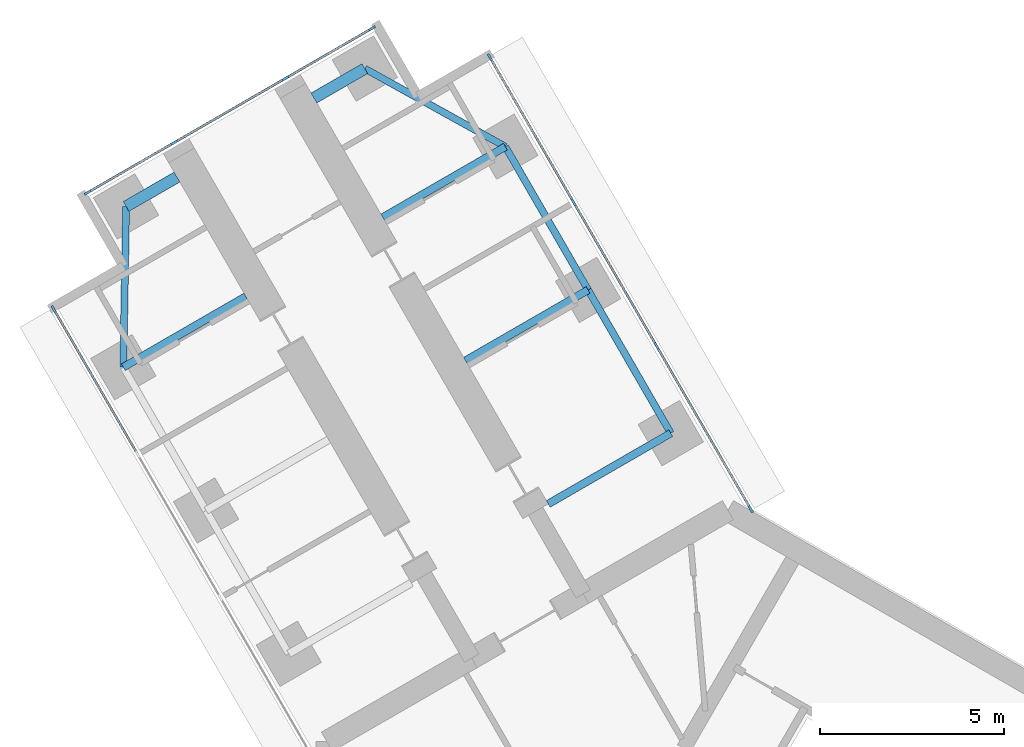
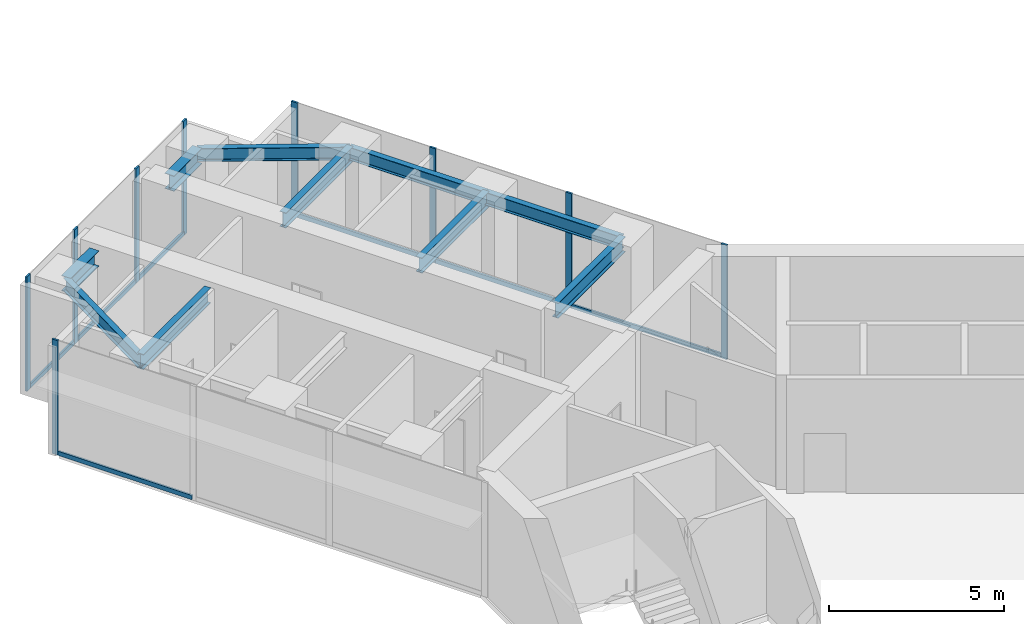
# One storey, part 6 of 22: 16 members, 10 beams, 3 elements without a shape of their own.
"""IFC4 building model written with IfcOpenShell, lengths in metres."""

from ifc_helpers import new_model, si_unit, direction, frame, origin, origin_2d, place, context, subcontext, project, spatial, rectangle, i_section, extrude, material, material_profile, profile_set, type_object, element, aggregate, save


model = new_model("IFC4")

# Units and contexts
model_context = context("Model", 3, precision=1e-05, world=origin(), true_north=direction((0.0, 1.0)))
body_context = subcontext(model_context, "Body", "Model", "MODEL_VIEW")
ifc_project = project(units=[si_unit("LENGTHUNIT", "METRE"), si_unit("AREAUNIT", "SQUARE_METRE"), si_unit("VOLUMEUNIT", "CUBIC_METRE"), si_unit("PLANEANGLEUNIT", "RADIAN"), si_unit("MASSUNIT", "GRAM", prefix="KILO")], contexts=[model_context])

# Site, building, storey
site_placement = place(None, origin())
site = spatial("IfcSite", under=ifc_project, at=site_placement, CompositionType="ELEMENT")
building_placement = place(site_placement, origin())
building = spatial("IfcBuilding", under=site, at=building_placement, Name="Upepo Twin Towers", CompositionType="ELEMENT")
storey_placement = place(building_placement, frame((0.0, 0.0, 137.5)))
storey = spatial("IfcBuildingStorey", under=building, at=storey_placement, Name="L33", CompositionType="ELEMENT", Elevation=137.5)

# Beams
ifc_material_1 = material(Name="Steel S355", Category="steel")
ifc_material_profile_1 = material_profile(ifc_material_1, i_section(OverallWidth=0.1904296875, OverallDepth=0.45703125, WebThickness=0.009033203125, FlangeThickness=0.014404296875, FilletRadius=0.01025390625, at=origin_2d()), Name="UB 457x191x74")
ifc_profile_set_1 = profile_set([ifc_material_profile_1], Name="Steel S355")
beam_type_1 = type_object("IfcBeamType", Name="Beam UB 457x191x74", PredefinedType="BEAM", material=ifc_profile_set_1)
beam_1_placement = place(storey_placement, frame((-16.446044921875, 16.485595703125, 3.571533203125), z_axis=(0.016803880528, 0.999858804832, 0.0), x_axis=(-0.999858804832, 0.016803880528, 0.0)))
element("IfcBeam", 1, at=beam_1_placement, inside=storey, type_object=beam_type_1, Name="T1 nose edge beam BL", PredefinedType="BEAM", context=body_context, shape_type="SweptSolid", body=[
    extrude(i_section(OverallWidth=0.1904296875, OverallDepth=0.45703125, WebThickness=0.009033203125, FlangeThickness=0.014404296875, FilletRadius=0.01025390625, at=origin_2d()), origin(), (0.0, 0.0, 1.0), 4.373291015625),
])
beam_2_placement = place(storey_placement, frame((-1.553955078125, 14.69140625, 3.571533203125), z_axis=(-0.500013631625, 0.866017533419, 0.0), x_axis=(-0.866017533419, -0.500013631625, 0.0)))
element("IfcBeam", 2, at=beam_2_placement, inside=storey, type_object=beam_type_1, Name="T1 edge beam BR 13.5-18.0", PredefinedType="BEAM", context=body_context, shape_type="SweptSolid", body=[
    extrude(i_section(OverallWidth=0.1904296875, OverallDepth=0.45703125, WebThickness=0.009033203125, FlangeThickness=0.014404296875, FilletRadius=0.01025390625, at=origin_2d()), origin(), (0.0, 0.0, 1.0), 4.499755859375),
])
beam_3_placement = place(storey_placement, frame((-3.803955078125, 18.58837890625, 3.571533203125), z_axis=(-0.499990139034, 0.866031096941, 0.0), x_axis=(-0.866031096941, -0.499990139034, 0.0)))
element("IfcBeam", 3, at=beam_3_placement, inside=storey, type_object=beam_type_1, Name="T1 edge beam BR 18.0-22.5", PredefinedType="BEAM", context=body_context, shape_type="SweptSolid", body=[
    extrude(i_section(OverallWidth=0.1904296875, OverallDepth=0.45703125, WebThickness=0.009033203125, FlangeThickness=0.014404296875, FilletRadius=0.01025390625, at=origin_2d()), origin(), (0.0, 0.0, 1.0), 4.5),
])
beam_4_placement = place(storey_placement, frame((-6.053955078125, 22.485595703125, 3.571533203125), z_axis=(-0.874312600038, 0.485363242752, 0.0), x_axis=(-0.485363242752, -0.874312600038, 0.0)))
element("IfcBeam", 4, at=beam_4_placement, inside=storey, type_object=beam_type_1, Name="T1 nose edge beam BR", PredefinedType="BEAM", context=body_context, shape_type="SweptSolid", body=[
    extrude(i_section(OverallWidth=0.1904296875, OverallDepth=0.45703125, WebThickness=0.009033203125, FlangeThickness=0.014404296875, FilletRadius=0.01025390625, at=origin_2d()), origin(), (0.0, 0.0, 1.0), 4.373046875),
])
ifc_material_2 = material(Name="Steel S355", Category="steel")
ifc_material_profile_2 = material_profile(ifc_material_2, i_section(OverallWidth=0.209228515625, OverallDepth=0.533203125, WebThickness=0.010009765625, FlangeThickness=0.015625, FilletRadius=0.0126953125, at=origin_2d()), Name="UB 533x210x92")
ifc_profile_set_2 = profile_set([ifc_material_profile_2], Name="Steel S355")
beam_type_2 = type_object("IfcBeamType", Name="Beam UB 533x210x92", PredefinedType="BEAM", material=ifc_profile_set_2)
for number, where, z_axis, x_axis, name in (
    (5, (-16.446044921875, 16.485595703125, 3.533447265625), (0.866006051527, 0.500033517596, 0.0), (-0.500033517596, 0.866006051527, 0.0), "T1 girder BL at 22.5"),
    (6, (-1.553955078125, 14.69140625, 3.533447265625), (-0.866006051527, -0.500033517596, 0.0), (0.500033517596, -0.866006051527, 0.0), "T1 girder BR at 13.5"),
):
    element("IfcBeam", number, at=place(storey_placement, frame(where, z_axis=z_axis, x_axis=x_axis)), inside=storey, type_object=beam_type_2, Name=name, PredefinedType="BEAM", context=body_context, shape_type="SweptSolid", body=[
        extrude(i_section(OverallWidth=0.209228515625, OverallDepth=0.533203125, WebThickness=0.010009765625, FlangeThickness=0.015625, FilletRadius=0.0126953125, at=origin_2d()), origin(), (0.0, 0.0, 1.0), 3.849853515625),
    ])
beam_5_placement = place(storey_placement, frame((-3.803955078125, 18.58837890625, 3.533447265625), z_axis=(-0.866033512162, -0.499985955615, 0.0), x_axis=(0.499985955615, -0.866033512162, 0.0)))
element("IfcBeam", 7, at=beam_5_placement, inside=storey, type_object=beam_type_2, Name="T1 girder BR at 18.0", PredefinedType="BEAM", context=body_context, shape_type="SweptSolid", body=[
    extrude(i_section(OverallWidth=0.209228515625, OverallDepth=0.533203125, WebThickness=0.010009765625, FlangeThickness=0.015625, FilletRadius=0.0126953125, at=origin_2d()), origin(), (0.0, 0.0, 1.0), 3.849609375),
])
beam_6_placement = place(storey_placement, frame((-6.053955078125, 22.485595703125, 3.533447265625), z_axis=(-0.866006051527, -0.500033517596, 0.0), x_axis=(0.500033517596, -0.866006051527, 0.0)))
element("IfcBeam", 8, at=beam_6_placement, inside=storey, type_object=beam_type_2, Name="T1 girder BR at 22.5", PredefinedType="BEAM", context=body_context, shape_type="SweptSolid", body=[
    extrude(i_section(OverallWidth=0.209228515625, OverallDepth=0.533203125, WebThickness=0.010009765625, FlangeThickness=0.015625, FilletRadius=0.0126953125, at=origin_2d()), origin(), (0.0, 0.0, 1.0), 3.849853515625),
])
ifc_material_3 = material(Name="Steel S355", Category="steel")
ifc_material_profile_3 = material_profile(ifc_material_3, i_section(OverallWidth=0.31201171875, OverallDepth=0.54345703125, WebThickness=0.0126953125, FlangeThickness=0.020263671875, FilletRadius=0.0126953125, at=origin_2d()), Name="UB 533x312x150")
ifc_profile_set_3 = profile_set([ifc_material_profile_3], Name="Steel S355")
beam_type_3 = type_object("IfcBeamType", Name="Beam UB 533x312x150", PredefinedType="BEAM", material=ifc_profile_set_3)
for number, where, z_axis, x_axis, name in (
    (9, (-16.37255859375, 20.858154296875, 3.5283203125), (0.865989903783, 0.500061482766, 0.0), (-0.500061482766, 0.865989903783, 0.0), "T1 nose beam BL"),
    (10, (-9.87744140625, 24.608154296875, 3.5283203125), (-0.865989903783, -0.500061482766, 0.0), (0.500061482766, -0.865989903783, 0.0), "T1 nose beam BR"),
):
    element("IfcBeam", number, at=place(storey_placement, frame(where, z_axis=z_axis, x_axis=x_axis)), inside=storey, type_object=beam_type_3, Name=name, PredefinedType="BEAM", context=body_context, shape_type="SweptSolid", body=[
        extrude(i_section(OverallWidth=0.31201171875, OverallDepth=0.54345703125, WebThickness=0.0126953125, FlangeThickness=0.020263671875, FilletRadius=0.0126953125, at=origin_2d()), origin(), (0.0, 0.0, 1.0), 1.599853515625),
    ])

# Curtain wall, member
ifc_material_4 = material(Name="Aluminium and fritted glass", Category="aluminium")
curtain_wall_type = type_object("IfcCurtainWallType", Name="Tower curtain wall TW2, fritted glass", PredefinedType="NOTDEFINED", material=ifc_material_4)
curtain_wall_1_placement = place(storey_placement, origin())
curtain_wall_1 = element("IfcCurtainWall", 11, at=curtain_wall_1_placement, inside=storey, type_object=curtain_wall_type, Name="T1 L33 wing B flank L curtain wall", PredefinedType="NOTDEFINED")
ifc_material_5 = material(Name="Aluminium mullion", Category="aluminium")
ifc_material_profile_4 = material_profile(ifc_material_5, rectangle(XDim=0.06494140625, YDim=0.199951171875, at=origin_2d()), Name="MULLION 65x200")
ifc_profile_set_4 = profile_set([ifc_material_profile_4], Name="Aluminium mullion")
member_type_1 = type_object("IfcMemberType", Name="Mullion 65x200 TW2", PredefinedType="MULLION", material=ifc_profile_set_4)
member_1_placement = place(storey_placement, frame((-18.341064453125, 18.067626953125, 0.0), z_axis=(0.0, 0.0, 1.0), x_axis=(-0.866025397833, -0.500000010308, 0.0)))
member_1 = element("IfcMember", 12, at=member_1_placement, type_object=member_type_1, Name="T1 L33 wing B flank L curtain wall mullion 4", PredefinedType="MULLION", context=body_context, shape_type="SweptSolid", body=[
    extrude(rectangle(XDim=0.06494140625, YDim=0.199951171875, at=origin_2d()), origin(), (0.0, 0.0, 1.0), 4.0),
])

# Curtain wall, members
curtain_wall_2_placement = place(storey_placement, origin())
curtain_wall_2 = element("IfcCurtainWall", 13, at=curtain_wall_2_placement, inside=storey, type_object=curtain_wall_type, Name="T1 L33 wing B flank R curtain wall", PredefinedType="NOTDEFINED")
member_2_placement = place(storey_placement, frame((-6.4765625, 24.91748046875, 0.0), z_axis=(0.0, 0.0, 1.0), x_axis=(0.866025397833, 0.500000010308, 0.0)))
member_2 = element("IfcMember", 14, at=member_2_placement, type_object=member_type_1, Name="T1 L33 wing B flank R curtain wall mullion 1", PredefinedType="MULLION", context=body_context, shape_type="SweptSolid", body=[
    extrude(rectangle(XDim=0.06494140625, YDim=0.199951171875, at=origin_2d()), origin(), (0.0, 0.0, 1.0), 4.0),
])
member_3_placement = place(storey_placement, frame((-4.192626953125, 20.9619140625, 0.0), z_axis=(0.0, 0.0, 1.0), x_axis=(0.866025397833, 0.500000010308, 0.0)))
member_3 = element("IfcMember", 15, at=member_3_placement, type_object=member_type_1, Name="T1 L33 wing B flank R curtain wall mullion 2", PredefinedType="MULLION", context=body_context, shape_type="SweptSolid", body=[
    extrude(rectangle(XDim=0.06494140625, YDim=0.199951171875, at=origin_2d()), origin(), (0.0, 0.0, 1.0), 4.0),
])
member_4_placement = place(storey_placement, frame((-1.942626953125, 17.06494140625, 0.0), z_axis=(0.0, 0.0, 1.0), x_axis=(0.866025397833, 0.500000010308, 0.0)))
member_4 = element("IfcMember", 16, at=member_4_placement, type_object=member_type_1, Name="T1 L33 wing B flank R curtain wall mullion 3", PredefinedType="MULLION", context=body_context, shape_type="SweptSolid", body=[
    extrude(rectangle(XDim=0.06494140625, YDim=0.199951171875, at=origin_2d()), origin(), (0.0, 0.0, 1.0), 4.0),
])
member_5_placement = place(storey_placement, frame((0.62255859375, 12.621826171875, 0.0), z_axis=(0.0, 0.0, 1.0), x_axis=(0.866025397833, 0.500000010308, 0.0)))
member_5 = element("IfcMember", 17, at=member_5_placement, type_object=member_type_1, Name="T1 L33 wing B flank R curtain wall mullion 4", PredefinedType="MULLION", context=body_context, shape_type="SweptSolid", body=[
    extrude(rectangle(XDim=0.06494140625, YDim=0.199951171875, at=origin_2d()), origin(), (0.0, 0.0, 1.0), 4.0),
])

curtain_wall_3_placement = place(storey_placement, origin())
curtain_wall_3 = element("IfcCurtainWall", 18, at=curtain_wall_3_placement, inside=storey, type_object=curtain_wall_type, Name="T1 L33 wing B nose curtain wall", PredefinedType="NOTDEFINED")
member_6_placement = place(storey_placement, frame((-9.68115234375, 25.703125, 0.0), z_axis=(0.0, 0.0, 1.0), x_axis=(0.500000030502, -0.866025386174, 0.0)))
member_6 = element("IfcMember", 19, at=member_6_placement, type_object=member_type_1, Name="T1 L33 wing B nose curtain wall mullion 1", PredefinedType="MULLION", context=body_context, shape_type="SweptSolid", body=[
    extrude(rectangle(XDim=0.06494140625, YDim=0.199951171875, at=origin_2d()), origin(), (0.0, 0.0, 1.0), 4.0),
])
member_7_placement = place(storey_placement, frame((-12.034423828125, 24.34423828125, 0.0), z_axis=(0.0, 0.0, 1.0), x_axis=(0.500000030502, -0.866025386174, 0.0)))
member_7 = element("IfcMember", 20, at=member_7_placement, type_object=member_type_1, Name="T1 L33 wing B nose curtain wall mullion 2", PredefinedType="MULLION", context=body_context, shape_type="SweptSolid", body=[
    extrude(rectangle(XDim=0.06494140625, YDim=0.199951171875, at=origin_2d()), origin(), (0.0, 0.0, 1.0), 4.0),
])
member_8_placement = place(storey_placement, frame((-15.0654296875, 22.59423828125, 0.0), z_axis=(0.0, 0.0, 1.0), x_axis=(0.500000030502, -0.866025386174, 0.0)))
member_8 = element("IfcMember", 21, at=member_8_placement, type_object=member_type_1, Name="T1 L33 wing B nose curtain wall mullion 3", PredefinedType="MULLION", context=body_context, shape_type="SweptSolid", body=[
    extrude(rectangle(XDim=0.06494140625, YDim=0.199951171875, at=origin_2d()), origin(), (0.0, 0.0, 1.0), 4.0),
])
member_9_placement = place(storey_placement, frame((-17.4189453125, 21.235595703125, 0.0), z_axis=(0.0, 0.0, 1.0), x_axis=(0.500000030502, -0.866025386174, 0.0)))
member_9 = element("IfcMember", 22, at=member_9_placement, type_object=member_type_1, Name="T1 L33 wing B nose curtain wall mullion 4", PredefinedType="MULLION", context=body_context, shape_type="SweptSolid", body=[
    extrude(rectangle(XDim=0.06494140625, YDim=0.199951171875, at=origin_2d()), origin(), (0.0, 0.0, 1.0), 4.0),
])

# Member
ifc_material_6 = material(Name="Aluminium transom", Category="aluminium")
ifc_material_profile_5 = material_profile(ifc_material_6, rectangle(XDim=0.06494140625, YDim=0.14990234375, at=origin_2d()), Name="TRANSOM 65x150")
ifc_profile_set_5 = profile_set([ifc_material_profile_5], Name="Aluminium transom")
member_type_2 = type_object("IfcMemberType", Name="Transom 65x150 TW2", PredefinedType="USERDEFINED", material=ifc_profile_set_5)
member_10_placement = place(storey_placement, frame((-16.073486328125, 14.14013671875, 0.074951171875), z_axis=(-0.499982167615, 0.866035699072, 0.0), x_axis=(-0.866035699072, -0.499982167615, 0.0)))
member_10 = element("IfcMember", 23, at=member_10_placement, type_object=member_type_2, Name="T1 L33 wing B flank L curtain wall transom 3", ObjectType="TRANSOM", PredefinedType="USERDEFINED", context=body_context, shape_type="SweptSolid", body=[
    extrude(rectangle(XDim=0.06494140625, YDim=0.14990234375, at=origin_2d()), origin(), (0.0, 0.0, 1.0), 4.502685546875),
])

aggregate(curtain_wall_1, [member_1, member_10])

member_11_placement = place(storey_placement, frame((-6.460205078125, 24.889404296875, 0.074951171875), z_axis=(0.500005646842, -0.866022143554, 0.0), x_axis=(0.866022143554, 0.500005646842, 0.0)))
member_11 = element("IfcMember", 24, at=member_11_placement, type_object=member_type_2, Name="T1 L33 wing B flank R curtain wall transom 1", ObjectType="TRANSOM", PredefinedType="USERDEFINED", context=body_context, shape_type="SweptSolid", body=[
    extrude(rectangle(XDim=0.06494140625, YDim=0.14990234375, at=origin_2d()), origin(), (0.0, 0.0, 1.0), 4.50244140625),
])

member_12_placement = place(storey_placement, frame((-4.176513671875, 20.933837890625, 0.074951171875), z_axis=(0.500005184116, -0.866022410713, 0.0), x_axis=(0.866022410713, 0.500005184116, 0.0)))
member_12 = element("IfcMember", 25, at=member_12_placement, type_object=member_type_2, Name="T1 L33 wing B flank R curtain wall transom 2", ObjectType="TRANSOM", PredefinedType="USERDEFINED", context=body_context, shape_type="SweptSolid", body=[
    extrude(rectangle(XDim=0.06494140625, YDim=0.14990234375, at=origin_2d()), origin(), (0.0, 0.0, 1.0), 4.43505859375),
])

member_13_placement = place(storey_placement, frame((-1.926513671875, 17.036865234375, 0.074951171875), z_axis=(0.499985288567, -0.866033897268, 0.0), x_axis=(0.866033897268, 0.499985288567, 0.0)))
member_13 = element("IfcMember", 26, at=member_13_placement, type_object=member_type_2, Name="T1 L33 wing B flank R curtain wall transom 3", ObjectType="TRANSOM", PredefinedType="USERDEFINED", context=body_context, shape_type="SweptSolid", body=[
    extrude(rectangle(XDim=0.06494140625, YDim=0.14990234375, at=origin_2d()), origin(), (0.0, 0.0, 1.0), 5.065673828125),
])

aggregate(curtain_wall_2, [member_2, member_3, member_4, member_5, member_11, member_12, member_13])

member_14_placement = place(storey_placement, frame((-9.709228515625, 25.686767578125, 0.074951171875), z_axis=(-0.866036909293, -0.499980071345, 0.0), x_axis=(0.499980071345, -0.866036909293, 0.0)))
member_14 = element("IfcMember", 27, at=member_14_placement, type_object=member_type_2, Name="T1 L33 wing B nose curtain wall transom 1", ObjectType="TRANSOM", PredefinedType="USERDEFINED", context=body_context, shape_type="SweptSolid", body=[
    extrude(rectangle(XDim=0.06494140625, YDim=0.14990234375, at=origin_2d()), origin(), (0.0, 0.0, 1.0), 2.65234375),
])

member_15_placement = place(storey_placement, frame((-12.0625, 24.328125, 0.074951171875), z_axis=(-0.866025804792, -0.499999305434, 0.0), x_axis=(0.499999305434, -0.866025804792, 0.0)))
member_15 = element("IfcMember", 28, at=member_15_placement, type_object=member_type_2, Name="T1 L33 wing B nose curtain wall transom 2", ObjectType="TRANSOM", PredefinedType="USERDEFINED", context=body_context, shape_type="SweptSolid", body=[
    extrude(rectangle(XDim=0.06494140625, YDim=0.14990234375, at=origin_2d()), origin(), (0.0, 0.0, 1.0), 3.43505859375),
])

member_16_placement = place(storey_placement, frame((-15.09375, 22.578125, 0.074951171875), z_axis=(-0.865997053448, -0.500049101008, 0.0), x_axis=(0.500049101008, -0.865997053448, 0.0)))
member_16 = element("IfcMember", 29, at=member_16_placement, type_object=member_type_2, Name="T1 L33 wing B nose curtain wall transom 3", ObjectType="TRANSOM", PredefinedType="USERDEFINED", context=body_context, shape_type="SweptSolid", body=[
    extrude(rectangle(XDim=0.06494140625, YDim=0.14990234375, at=origin_2d()), origin(), (0.0, 0.0, 1.0), 2.652587890625),
])

aggregate(curtain_wall_3, [member_6, member_7, member_8, member_9, member_14, member_15, member_16])

save(model, "model.ifc")
